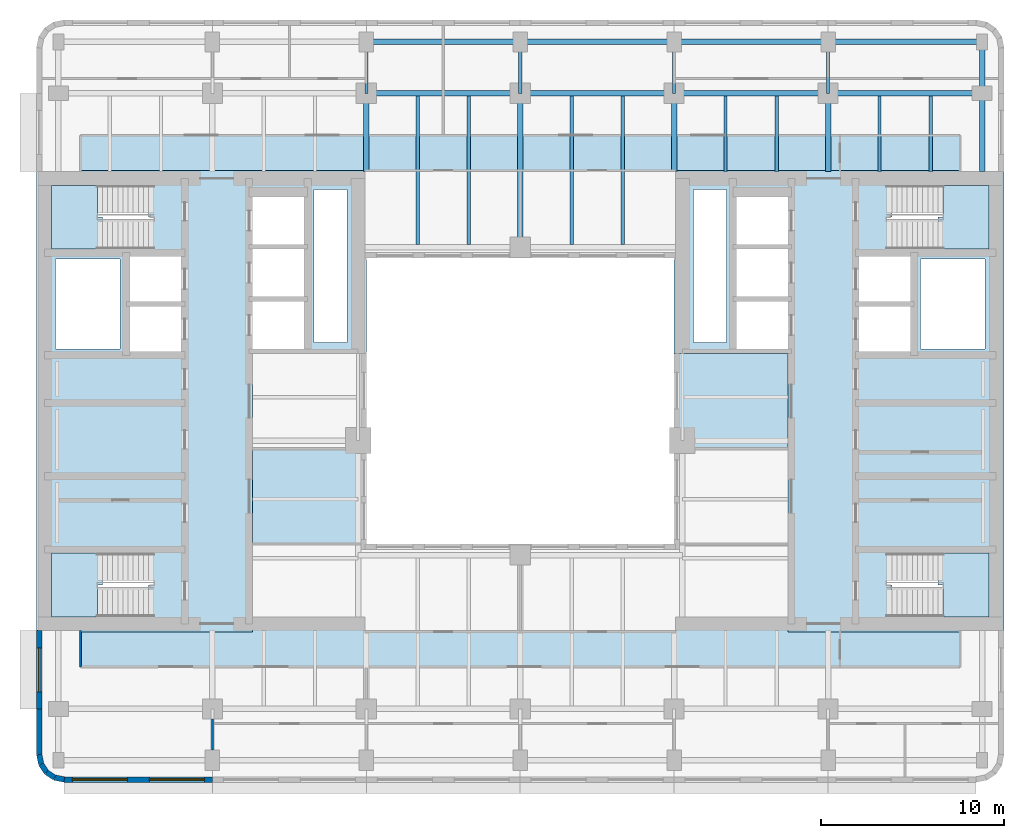
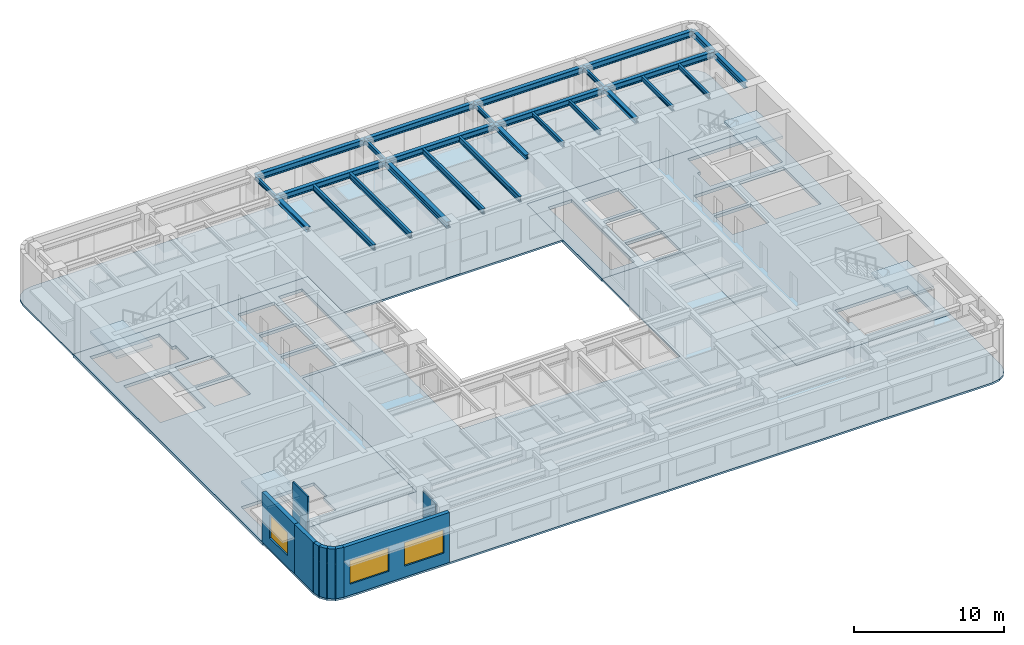
# One storey, part 2 of 11: 26 beams, 9 walls, 8 slabs, 3 windows, 3 openings, 4 elements without a shape of their own.
"""IFC4 building model written with IfcOpenShell, lengths in metres."""

from ifc_helpers import new_model, si_unit, direction, frame, frame_2d, origin, origin_2d, place, context, subcontext, project, spatial, polyline, rectangle, i_section, outline, extrude, material, layer, layer_set, material_profile, profile_set, type_object, element, fill, aggregate, save


model = new_model("IFC4")

# Units and contexts
model_context = context("Model", 3, precision=1e-05, world=origin(), true_north=direction((0.0, 1.0)))
body_context = subcontext(model_context, "Body", "Model", "MODEL_VIEW")
ifc_project = project(units=[si_unit("LENGTHUNIT", "METRE"), si_unit("AREAUNIT", "SQUARE_METRE"), si_unit("VOLUMEUNIT", "CUBIC_METRE"), si_unit("PLANEANGLEUNIT", "RADIAN"), si_unit("MASSUNIT", "GRAM", prefix="KILO")], contexts=[model_context])

# Site, building, storey
site_placement = place(None, origin())
site = spatial("IfcSite", under=ifc_project, at=site_placement, CompositionType="ELEMENT")
building_placement = place(site_placement, origin())
building = spatial("IfcBuilding", under=site, at=building_placement, Name="Claustro Exchange Tower", CompositionType="ELEMENT")
storey_placement = place(building_placement, frame((0.0, 0.0, 211.199951171875)))
storey = spatial("IfcBuildingStorey", under=building, at=storey_placement, Name="L48", CompositionType="ELEMENT", Elevation=211.199951171875)

# Beams
ifc_material_1 = material(Name="Steel S355", Category="steel")
ifc_material_profile_1 = material_profile(ifc_material_1, i_section(OverallWidth=0.169921875, OverallDepth=0.360107421875, WebThickness=0.008056640625, FlangeThickness=0.0126953125, FilletRadius=0.01806640625, at=origin_2d()), Name="IPE 360")
ifc_profile_set_1 = profile_set([ifc_material_profile_1], Name="Steel S355")
beam_type_1 = type_object("IfcBeamType", Name="B16 IPE 360 short-span beam", PredefinedType="BEAM", material=ifc_profile_set_1)
for number, where, z_axis, x_axis, name in (
    (1, (16.800048828125, 42.0, 3.8701171875), (0.0, 1.0, 0.0), (-1.0, 0.0, 0.0), "Beam B16 L49"),
    (2, (25.199951171875, 42.0, 3.8701171875), (0.0, 1.0, 0.0), (-1.0, 0.0, 0.0), "Beam B16 L49"),
    (3, (33.60009765625, 42.0, 3.8701171875), (0.0, 1.0, 0.0), (-1.0, 0.0, 0.0), "Beam B16 L49"),
    (4, (42.0, 42.0, 3.8701171875), (0.0, 1.0, 0.0), (-1.0, 0.0, 0.0), "Beam B16 L49"),
):
    element("IfcBeam", number, at=place(storey_placement, frame(where, z_axis=z_axis, x_axis=x_axis)), inside=storey, type_object=beam_type_1, Name=name, PredefinedType="BEAM", context=body_context, shape_type="SweptSolid", body=[
        extrude(i_section(OverallWidth=0.169921875, OverallDepth=0.360107421875, WebThickness=0.008056640625, FlangeThickness=0.0126953125, FilletRadius=0.01806640625, at=origin_2d()), origin(), (0.0, 0.0, 1.0), 2.800048828125),
    ])
for number, where, z_axis, x_axis, name in (
    (5, (36.39990234375, 37.72509765625, 3.8701171875), (0.0, 1.0, 0.0), (-1.0, 0.0, 0.0), "Beam B16 L49"),
    (6, (39.199951171875, 37.72509765625, 3.8701171875), (0.0, 1.0, 0.0), (-1.0, 0.0, 0.0), "Beam B16 L49"),
    (7, (44.800048828125, 37.72509765625, 3.8701171875), (0.0, 1.0, 0.0), (-1.0, 0.0, 0.0), "Beam B16 L49"),
    (8, (47.60009765625, 37.72509765625, 3.8701171875), (0.0, 1.0, 0.0), (-1.0, 0.0, 0.0), "Beam B16 L49"),
):
    element("IfcBeam", number, at=place(storey_placement, frame(where, z_axis=z_axis, x_axis=x_axis)), inside=storey, type_object=beam_type_1, Name=name, PredefinedType="BEAM", context=body_context, shape_type="SweptSolid", body=[
        extrude(i_section(OverallWidth=0.169921875, OverallDepth=0.360107421875, WebThickness=0.008056640625, FlangeThickness=0.0126953125, FilletRadius=0.01806640625, at=origin_2d()), origin(), (0.0, 0.0, 1.0), 4.125),
    ])
ifc_material_2 = material(Name="Steel S355", Category="steel")
ifc_material_profile_2 = material_profile(ifc_material_2, i_section(OverallWidth=0.300048828125, OverallDepth=0.360107421875, WebThickness=0.012451171875, FlangeThickness=0.0224609375, FilletRadius=0.027099609375, at=origin_2d()), Name="HE 360 B")
ifc_profile_set_2 = profile_set([ifc_material_profile_2], Name="Steel S355")
beam_type_2 = type_object("IfcBeamType", Name="B29 HE 360 B column to core link beam", PredefinedType="BEAM", material=ifc_profile_set_2)
for number, where, z_axis, x_axis, name in (
    (9, (16.800048828125, 37.72509765625, 3.8701171875), (0.0, 1.0, 0.0), (-1.0, 0.0, 0.0), "Beam B29 L49"),
    (10, (33.60009765625, 37.72509765625, 3.8701171875), (0.0, 1.0, 0.0), (-1.0, 0.0, 0.0), "Beam B29 L49"),
    (11, (42.0, 37.72509765625, 3.8701171875), (0.0, 1.0, 0.0), (-1.0, 0.0, 0.0), "Beam B29 L49"),
):
    element("IfcBeam", number, at=place(storey_placement, frame(where, z_axis=z_axis, x_axis=x_axis)), inside=storey, type_object=beam_type_2, Name=name, PredefinedType="BEAM", context=body_context, shape_type="SweptSolid", body=[
        extrude(i_section(OverallWidth=0.300048828125, OverallDepth=0.360107421875, WebThickness=0.012451171875, FlangeThickness=0.0224609375, FilletRadius=0.027099609375, at=origin_2d()), origin(), (0.0, 0.0, 1.0), 4.27490234375),
    ])
ifc_material_3 = material(Name="Steel S355", Category="steel")
ifc_material_profile_3 = material_profile(ifc_material_3, i_section(OverallWidth=0.300048828125, OverallDepth=0.5, WebThickness=0.014404296875, FlangeThickness=0.028076171875, FilletRadius=0.027099609375, at=origin_2d()), Name="HE 500 B")
ifc_profile_set_3 = profile_set([ifc_material_profile_3], Name="Steel S355")
beam_type_3 = type_object("IfcBeamType", Name="B7 HE 500 B floor girder", PredefinedType="BEAM", material=ifc_profile_set_3)
for number, where, z_axis, x_axis, name in (
    (12, (25.199951171875, 33.60009765625, 3.800048828125), (0.0, 1.0, 0.0), (-1.0, 0.0, 0.0), "Beam B7 L49"),
    (13, (16.800048828125, 42.0, 3.800048828125), (1.0, 0.0, 0.0), (0.0, 1.0, 0.0), "Beam B7 L49"),
):
    element("IfcBeam", number, at=place(storey_placement, frame(where, z_axis=z_axis, x_axis=x_axis)), inside=storey, type_object=beam_type_3, Name=name, PredefinedType="BEAM", context=body_context, shape_type="SweptSolid", body=[
        extrude(i_section(OverallWidth=0.300048828125, OverallDepth=0.5, WebThickness=0.014404296875, FlangeThickness=0.028076171875, FilletRadius=0.027099609375, at=origin_2d()), origin(), (0.0, 0.0, 1.0), 8.39990234375),
    ])
beam_1_placement = place(storey_placement, frame((25.199951171875, 42.0, 3.800048828125), z_axis=(1.0, 0.0, 0.0), x_axis=(0.0, 1.0, 0.0)))
element("IfcBeam", 14, at=beam_1_placement, inside=storey, type_object=beam_type_3, Name="Beam B7 L49", PredefinedType="BEAM", context=body_context, shape_type="SweptSolid", body=[
    extrude(i_section(OverallWidth=0.300048828125, OverallDepth=0.5, WebThickness=0.014404296875, FlangeThickness=0.028076171875, FilletRadius=0.027099609375, at=origin_2d()), origin(), (0.0, 0.0, 1.0), 8.400146484375),
])
for number, where, z_axis, x_axis, name in (
    (15, (33.60009765625, 42.0, 3.800048828125), (1.0, 0.0, 0.0), (0.0, 1.0, 0.0), "Beam B7 L49"),
    (16, (42.0, 42.0, 3.800048828125), (1.0, 0.0, 0.0), (0.0, 1.0, 0.0), "Beam B7 L49"),
):
    element("IfcBeam", number, at=place(storey_placement, frame(where, z_axis=z_axis, x_axis=x_axis)), inside=storey, type_object=beam_type_3, Name=name, PredefinedType="BEAM", context=body_context, shape_type="SweptSolid", body=[
        extrude(i_section(OverallWidth=0.300048828125, OverallDepth=0.5, WebThickness=0.014404296875, FlangeThickness=0.028076171875, FilletRadius=0.027099609375, at=origin_2d()), origin(), (0.0, 0.0, 1.0), 8.39990234375),
    ])
ifc_material_4 = material(Name="Steel S355", Category="steel")
ifc_material_profile_4 = material_profile(ifc_material_4, i_section(OverallWidth=0.18994140625, OverallDepth=0.449951171875, WebThickness=0.009521484375, FlangeThickness=0.0146484375, FilletRadius=0.02099609375, at=origin_2d()), Name="IPE 450")
ifc_profile_set_4 = profile_set([ifc_material_profile_4], Name="Steel S355")
beam_type_4 = type_object("IfcBeamType", Name="B8 IPE 450 secondary beam", PredefinedType="BEAM", material=ifc_profile_set_4)
for number, where, z_axis, x_axis, name in (
    (17, (19.60009765625, 33.75, 3.824951171875), (0.0, 1.0, 0.0), (-1.0, 0.0, 0.0), "Beam B8 L49"),
    (18, (22.39990234375, 33.75, 3.824951171875), (0.0, 1.0, 0.0), (-1.0, 0.0, 0.0), "Beam B8 L49"),
    (19, (28.0, 33.75, 3.824951171875), (0.0, 1.0, 0.0), (-1.0, 0.0, 0.0), "Beam B8 L49"),
    (20, (30.800048828125, 33.75, 3.824951171875), (0.0, 1.0, 0.0), (-1.0, 0.0, 0.0), "Beam B8 L49"),
):
    element("IfcBeam", number, at=place(storey_placement, frame(where, z_axis=z_axis, x_axis=x_axis)), inside=storey, type_object=beam_type_4, Name=name, PredefinedType="BEAM", context=body_context, shape_type="SweptSolid", body=[
        extrude(i_section(OverallWidth=0.18994140625, OverallDepth=0.449951171875, WebThickness=0.009521484375, FlangeThickness=0.0146484375, FilletRadius=0.02099609375, at=origin_2d()), origin(), (0.0, 0.0, 1.0), 8.10009765625),
    ])
ifc_material_5 = material(Name="Steel S355", Category="steel")
ifc_material_profile_5 = material_profile(ifc_material_5, i_section(OverallWidth=0.300048828125, OverallDepth=0.489990234375, WebThickness=0.011962890625, FlangeThickness=0.02294921875, FilletRadius=0.027099609375, at=origin_2d()), Name="HE 500 A")
ifc_profile_set_5 = profile_set([ifc_material_profile_5], Name="Steel S355")
beam_type_5 = type_object("IfcBeamType", Name="B9 HE 500 A spandrel edge girder", PredefinedType="SPANDREL", material=ifc_profile_set_5)
beam_2_placement = place(storey_placement, frame((50.39990234375, 37.72509765625, 3.804931640625), z_axis=(0.0, 1.0, 0.0), x_axis=(-1.0, 0.0, 0.0)))
element("IfcBeam", 21, at=beam_2_placement, inside=storey, type_object=beam_type_5, Name="Beam B9 L49", PredefinedType="SPANDREL", context=body_context, shape_type="SweptSolid", body=[
    extrude(i_section(OverallWidth=0.300048828125, OverallDepth=0.489990234375, WebThickness=0.011962890625, FlangeThickness=0.02294921875, FilletRadius=0.027099609375, at=origin_2d()), origin(), (0.0, 0.0, 1.0), 4.27490234375),
])
beam_3_placement = place(storey_placement, frame((50.39990234375, 42.0, 3.804931640625), z_axis=(0.0, 1.0, 0.0), x_axis=(-1.0, 0.0, 0.0)))
element("IfcBeam", 22, at=beam_3_placement, inside=storey, type_object=beam_type_5, Name="Beam B9 L49", PredefinedType="SPANDREL", context=body_context, shape_type="SweptSolid", body=[
    extrude(i_section(OverallWidth=0.300048828125, OverallDepth=0.489990234375, WebThickness=0.011962890625, FlangeThickness=0.02294921875, FilletRadius=0.027099609375, at=origin_2d()), origin(), (0.0, 0.0, 1.0), 2.800048828125),
])
beam_4_placement = place(storey_placement, frame((16.800048828125, 44.800048828125, 3.804931640625), z_axis=(1.0, 0.0, 0.0), x_axis=(0.0, 1.0, 0.0)))
element("IfcBeam", 23, at=beam_4_placement, inside=storey, type_object=beam_type_5, Name="Beam B9 L49", PredefinedType="SPANDREL", context=body_context, shape_type="SweptSolid", body=[
    extrude(i_section(OverallWidth=0.300048828125, OverallDepth=0.489990234375, WebThickness=0.011962890625, FlangeThickness=0.02294921875, FilletRadius=0.027099609375, at=origin_2d()), origin(), (0.0, 0.0, 1.0), 8.39990234375),
])
beam_5_placement = place(storey_placement, frame((25.199951171875, 44.800048828125, 3.804931640625), z_axis=(1.0, 0.0, 0.0), x_axis=(0.0, 1.0, 0.0)))
element("IfcBeam", 24, at=beam_5_placement, inside=storey, type_object=beam_type_5, Name="Beam B9 L49", PredefinedType="SPANDREL", context=body_context, shape_type="SweptSolid", body=[
    extrude(i_section(OverallWidth=0.300048828125, OverallDepth=0.489990234375, WebThickness=0.011962890625, FlangeThickness=0.02294921875, FilletRadius=0.027099609375, at=origin_2d()), origin(), (0.0, 0.0, 1.0), 8.400146484375),
])
for number, where, z_axis, x_axis, name in (
    (25, (33.60009765625, 44.800048828125, 3.804931640625), (1.0, 0.0, 0.0), (0.0, 1.0, 0.0), "Beam B9 L49"),
    (26, (42.0, 44.800048828125, 3.804931640625), (1.0, 0.0, 0.0), (0.0, 1.0, 0.0), "Beam B9 L49"),
):
    element("IfcBeam", number, at=place(storey_placement, frame(where, z_axis=z_axis, x_axis=x_axis)), inside=storey, type_object=beam_type_5, Name=name, PredefinedType="SPANDREL", context=body_context, shape_type="SweptSolid", body=[
        extrude(i_section(OverallWidth=0.300048828125, OverallDepth=0.489990234375, WebThickness=0.011962890625, FlangeThickness=0.02294921875, FilletRadius=0.027099609375, at=origin_2d()), origin(), (0.0, 0.0, 1.0), 8.39990234375),
    ])

# Slabs
ifc_material_6 = material(Name="Concrete HA-50 (C50/60)", Category="concrete")
ifc_layer_1 = layer(ifc_material_6, 0.14990234375)
ifc_layer_set_1 = layer_set([ifc_layer_1], Name="Concrete HA-50 (C50/60)")
slab_type_1 = type_object("IfcSlabType", Name="S2 150 composite floor slab", PredefinedType="FLOOR", material=ifc_layer_set_1)
slab_1_placement = place(storey_placement, frame((0.0, 0.0, -0.14990234375)))
element("IfcSlab", 27, at=slab_1_placement, inside=storey, type_object=slab_type_1, Name="Floor slab S2 S L48", PredefinedType="FLOOR", context=body_context, shape_type="SweptSolid", body=[
    extrude(outline(polyline([(-0.27392578125, 4.51416015625), (0.300048828125, 4.39990234375), (50.10009765625, 4.39990234375), (50.674072265625, 4.51416015625), (51.16064453125, 4.83935546875), (51.48583984375, 5.325927734375), (51.60009765625, 5.89990234375), (51.60009765625, 12.60009765625), (39.800048828125, 12.60009765625), (39.800048828125, 27.800048828125), (33.60009765625, 27.800048828125), (33.60009765625, 17.39990234375), (16.800048828125, 17.39990234375), (16.800048828125, 27.800048828125), (10.60009765625, 27.800048828125), (10.60009765625, 12.60009765625), (-1.199951171875, 12.60009765625), (-1.199951171875, 5.89990234375), (-1.085693359375, 5.325927734375), (-0.7607421875, 4.83935546875), (-0.27392578125, 4.51416015625)])), origin(), (0.0, 0.0, 1.0), 0.14990234375),
])
slab_2_placement = place(storey_placement, frame((0.0, 0.0, -0.14990234375)))
element("IfcSlab", 28, at=slab_2_placement, inside=storey, type_object=slab_type_1, Name="Floor slab S2 N L48", PredefinedType="FLOOR", context=body_context, shape_type="SweptSolid", body=[
    extrude(outline(polyline([(16.800048828125, 37.800048828125), (16.800048828125, 33.0), (33.60009765625, 33.0), (33.60009765625, 37.800048828125), (51.60009765625, 37.800048828125), (51.60009765625, 44.5), (51.48583984375, 45.073974609375), (51.16064453125, 45.560791015625), (50.674072265625, 45.8857421875), (50.10009765625, 46.0), (0.300048828125, 46.0), (-0.27392578125, 45.8857421875), (-0.7607421875, 45.560791015625), (-1.085693359375, 45.073974609375), (-1.199951171875, 44.5), (-1.199951171875, 37.800048828125), (16.800048828125, 37.800048828125)])), origin(), (0.0, 0.0, 1.0), 0.14990234375),
])
ifc_material_7 = material(Name="Concrete HA-50 (C50/60)", Category="concrete")
ifc_layer_2 = layer(ifc_material_7, 0.25)
ifc_layer_set_2 = layer_set([ifc_layer_2], Name="Concrete HA-50 (C50/60)")
slab_type_2 = type_object("IfcSlabType", Name="S7 250 core floor slab", PredefinedType="FLOOR", material=ifc_layer_set_2)
slab_3_placement = place(storey_placement, frame((0.0, 0.0, -0.25)))
element("IfcSlab", 29, at=slab_3_placement, inside=storey, type_object=slab_type_2, Name="Core floor slab S7 W core L48", PredefinedType="FLOOR", context=body_context, shape_type="SweptSolid", body=[
    extrude(outline(polyline([(-1.199951171875, 37.800048828125), (-1.199951171875, 12.60009765625), (10.60009765625, 12.60009765625), (10.60009765625, 27.800048828125), (16.800048828125, 27.800048828125), (16.800048828125, 37.800048828125), (-1.199951171875, 37.800048828125)]), holes=[polyline([(13.949951171875, 36.75), (15.75, 36.75), (15.75, 28.39990234375), (13.949951171875, 28.39990234375), (13.949951171875, 36.75)]), polyline([(10.60009765625, 30.64990234375), (13.39990234375, 30.64990234375), (13.39990234375, 28.050048828125), (10.60009765625, 28.050048828125), (10.60009765625, 30.64990234375)]), polyline([(10.60009765625, 33.5), (13.39990234375, 33.5), (13.39990234375, 30.89990234375), (10.60009765625, 30.89990234375), (10.60009765625, 33.5)]), polyline([(13.39990234375, 36.35009765625), (13.39990234375, 33.75), (10.60009765625, 33.75), (10.60009765625, 36.35009765625), (13.39990234375, 36.35009765625)]), polyline([(3.89990234375, 30.375), (6.699951171875, 30.375), (6.699951171875, 27.89990234375), (3.89990234375, 27.89990234375), (3.89990234375, 30.375)]), polyline([(3.89990234375, 33.10009765625), (6.699951171875, 33.10009765625), (6.699951171875, 30.625), (3.89990234375, 30.625), (3.89990234375, 33.10009765625)]), polyline([(-0.375, 15.16259765625), (-0.375, 16.89990234375), (5.195068359375, 16.89990234375), (5.195068359375, 15.16259765625), (4.919921875, 15.16259765625), (4.919921875, 13.425048828125), (-0.375, 13.425048828125), (-0.375, 15.16259765625)]), polyline([(-0.375, 35.237548828125), (-0.375, 36.97509765625), (4.919921875, 36.97509765625), (4.919921875, 35.237548828125), (5.195068359375, 35.237548828125), (5.195068359375, 33.5), (-0.375, 33.5), (-0.375, 35.237548828125)]), polyline([(-0.14990234375, 32.949951171875), (3.35009765625, 32.949951171875), (3.35009765625, 28.050048828125), (-0.14990234375, 28.050048828125), (-0.14990234375, 32.949951171875)])]), origin(), (0.0, 0.0, 1.0), 0.25),
])
slab_4_placement = place(storey_placement, frame((0.0, 0.0, -0.25)))
element("IfcSlab", 30, at=slab_4_placement, inside=storey, type_object=slab_type_2, Name="Core floor slab S7 E core L48", PredefinedType="FLOOR", context=body_context, shape_type="SweptSolid", body=[
    extrude(outline(polyline([(51.60009765625, 37.800048828125), (33.60009765625, 37.800048828125), (33.60009765625, 27.800048828125), (39.800048828125, 27.800048828125), (39.800048828125, 12.60009765625), (51.60009765625, 12.60009765625), (51.60009765625, 37.800048828125)]), holes=[polyline([(45.47998046875, 15.16259765625), (45.205078125, 15.16259765625), (45.205078125, 16.89990234375), (50.77490234375, 16.89990234375), (50.77490234375, 15.16259765625), (50.77490234375, 13.425048828125), (45.47998046875, 13.425048828125), (45.47998046875, 15.16259765625)]), polyline([(45.47998046875, 35.237548828125), (45.47998046875, 36.97509765625), (50.77490234375, 36.97509765625), (50.77490234375, 35.237548828125), (50.77490234375, 33.5), (45.205078125, 33.5), (45.205078125, 35.237548828125), (45.47998046875, 35.237548828125)]), polyline([(47.050048828125, 32.949951171875), (50.550048828125, 32.949951171875), (50.550048828125, 28.050048828125), (47.050048828125, 28.050048828125), (47.050048828125, 32.949951171875)]), polyline([(43.699951171875, 30.375), (46.5, 30.375), (46.5, 27.89990234375), (43.699951171875, 27.89990234375), (43.699951171875, 30.375)]), polyline([(43.699951171875, 33.10009765625), (46.5, 33.10009765625), (46.5, 30.625), (43.699951171875, 30.625), (43.699951171875, 33.10009765625)]), polyline([(37.0, 30.64990234375), (39.800048828125, 30.64990234375), (39.800048828125, 28.050048828125), (37.0, 28.050048828125), (37.0, 30.64990234375)]), polyline([(37.0, 33.5), (39.800048828125, 33.5), (39.800048828125, 30.89990234375), (37.0, 30.89990234375), (37.0, 33.5)]), polyline([(39.800048828125, 36.35009765625), (39.800048828125, 33.75), (37.0, 33.75), (37.0, 36.35009765625), (39.800048828125, 36.35009765625)]), polyline([(34.64990234375, 36.75), (36.449951171875, 36.75), (36.449951171875, 28.39990234375), (34.64990234375, 28.39990234375), (34.64990234375, 36.75)])]), origin(), (0.0, 0.0, 1.0), 0.25),
])

# Stair, slab
ifc_material_8 = material(Name="Concrete HA-30 (C30/37), precast", Category="concrete")
stair_type = type_object("IfcStairType", Name="ST1 half-turn stair, 24 risers of 175", PredefinedType="HALF_TURN_STAIR", material=ifc_material_8)
stair_1_placement = place(storey_placement, origin())
stair_1 = element("IfcStair", 31, at=stair_1_placement, inside=storey, type_object=stair_type, Name="Stair STWA L48", PredefinedType="HALF_TURN_STAIR")
ifc_material_9 = material(Name="Concrete HA-30 (C30/37), precast", Category="concrete")
ifc_layer_3 = layer(ifc_material_9, 0.199951171875)
ifc_layer_set_3 = layer_set([ifc_layer_3], Name="Concrete HA-30 (C30/37), precast")
slab_type_3 = type_object("IfcSlabType", Name="S9 200 stair landing", PredefinedType="LANDING", material=ifc_layer_set_3)
slab_5_placement = place(storey_placement, frame((0.0, 0.0, 1.900146484375)))
slab_5 = element("IfcSlab", 32, at=slab_5_placement, type_object=slab_type_3, Name="STWA landing 1", PredefinedType="LANDING", context=body_context, shape_type="SweptSolid", body=[
    extrude(outline(polyline([(2.125, 13.425048828125), (-0.375, 13.425048828125), (-0.375, 16.89990234375), (2.1201171875, 16.89990234375), (2.125, 16.89990234375), (2.39990234375, 16.89990234375), (2.39990234375, 15.16259765625), (2.125, 15.16259765625), (2.125, 13.425048828125)])), origin(), (0.0, 0.0, 1.0), 0.199951171875),
])
aggregate(stair_1, [slab_5])

stair_2_placement = place(storey_placement, origin())
stair_2 = element("IfcStair", 33, at=stair_2_placement, inside=storey, type_object=stair_type, Name="Stair STWB L48", PredefinedType="HALF_TURN_STAIR")
slab_6_placement = place(storey_placement, frame((0.0, 0.0, 1.900146484375)))
slab_6 = element("IfcSlab", 34, at=slab_6_placement, type_object=slab_type_3, Name="STWB landing 1", PredefinedType="LANDING", context=body_context, shape_type="SweptSolid", body=[
    extrude(outline(polyline([(2.39990234375, 35.237548828125), (2.39990234375, 33.5), (2.125, 33.5), (2.1201171875, 33.5), (-0.375, 33.5), (-0.375, 36.97509765625), (2.125, 36.97509765625), (2.125, 35.237548828125), (2.39990234375, 35.237548828125)])), origin(), (0.0, 0.0, 1.0), 0.199951171875),
])
aggregate(stair_2, [slab_6])

stair_3_placement = place(storey_placement, origin())
stair_3 = element("IfcStair", 35, at=stair_3_placement, inside=storey, type_object=stair_type, Name="Stair STEA L48", PredefinedType="HALF_TURN_STAIR")
slab_7_placement = place(storey_placement, frame((0.0, 0.0, 1.900146484375)))
slab_7 = element("IfcSlab", 36, at=slab_7_placement, type_object=slab_type_3, Name="STEA landing 1", PredefinedType="LANDING", context=body_context, shape_type="SweptSolid", body=[
    extrude(outline(polyline([(50.77490234375, 16.89990234375), (50.77490234375, 13.425048828125), (48.27490234375, 13.425048828125), (48.27490234375, 15.16259765625), (48.0, 15.16259765625), (48.0, 16.89990234375), (48.27490234375, 16.89990234375), (48.280029296875, 16.89990234375), (50.77490234375, 16.89990234375)])), origin(), (0.0, 0.0, 1.0), 0.199951171875),
])
aggregate(stair_3, [slab_7])

stair_4_placement = place(storey_placement, origin())
stair_4 = element("IfcStair", 37, at=stair_4_placement, inside=storey, type_object=stair_type, Name="Stair STEB L48", PredefinedType="HALF_TURN_STAIR")
slab_8_placement = place(storey_placement, frame((0.0, 0.0, 1.900146484375)))
slab_8 = element("IfcSlab", 38, at=slab_8_placement, type_object=slab_type_3, Name="STEB landing 1", PredefinedType="LANDING", context=body_context, shape_type="SweptSolid", body=[
    extrude(outline(polyline([(48.0, 33.5), (48.0, 35.237548828125), (48.27490234375, 35.237548828125), (48.27490234375, 36.97509765625), (50.77490234375, 36.97509765625), (50.77490234375, 33.5), (48.280029296875, 33.5), (48.27490234375, 33.5), (48.0, 33.5)])), origin(), (0.0, 0.0, 1.0), 0.199951171875),
])
aggregate(stair_4, [slab_8])

# Walls
ifc_material_10 = material(Name="Laminated glass in aluminium frame", Category="aluminium")
ifc_layer_4 = layer(ifc_material_10, 0.1201171875)
ifc_layer_set_4 = layer_set([ifc_layer_4], Name="Laminated glass in aluminium frame")
wall_type_1 = type_object("IfcWallType", Name="P2 120 glazed partition", PredefinedType="PARTITIONING", material=ifc_layer_set_4)
wall_1_placement = place(storey_placement, frame((8.39990234375, 6.14892578125, 0.0), z_axis=(0.0, 0.0, 1.0), x_axis=(0.0, 1.0, 0.0)))
element("IfcWall", 39, at=wall_1_placement, inside=storey, type_object=wall_type_1, Name="Partition P2 L48", PredefinedType="PARTITIONING", context=body_context, shape_type="SweptSolid", body=[
    extrude(rectangle(XDim=1.703125, YDim=0.1201171875, at=frame_2d((0.8515625, 0.0))), origin(), (0.0, 0.0, 1.0), 3.68994140625),
])
wall_2_placement = place(storey_placement, frame((1.199951171875, 10.699951171875, 0.0), z_axis=(0.0, 0.0, 1.0), x_axis=(0.0, 1.0, 0.0)))
element("IfcWall", 40, at=wall_2_placement, inside=storey, type_object=wall_type_1, Name="Partition P2 L48", PredefinedType="PARTITIONING", context=body_context, shape_type="SweptSolid", body=[
    extrude(rectangle(XDim=1.97607421875, YDim=0.1201171875, at=frame_2d((0.988037109375, 0.0))), origin(), (0.0, 0.0, 1.0), 4.050048828125),
])

# Wall, openings, windows
ifc_material_11 = material(Name="Concrete HA-40 (C40/50), precast, white cement, acid-etched", Category="concrete")
ifc_layer_5 = layer(ifc_material_11, 0.300048828125)
ifc_layer_set_5 = layer_set([ifc_layer_5], Name="Concrete HA-40 (C40/50), precast, white cement, acid-etched")
wall_type_2 = type_object("IfcWallType", Name="PC1 300 precast concrete pier panel", PredefinedType="SOLIDWALL", material=ifc_layer_set_5)
wall_3_placement = place(storey_placement, frame((8.39990234375, 4.550048828125, 0.0), z_axis=(0.0, 0.0, 1.0), x_axis=(-1.0, 0.0, 0.0)))
wall_3 = element("IfcWall", 41, at=wall_3_placement, inside=storey, type_object=wall_type_2, Name="Precast pier panel PC1 L48", PredefinedType="SOLIDWALL", context=body_context, shape_type="SweptSolid", body=[
    extrude(rectangle(XDim=8.085205078125, YDim=0.300048828125, at=frame_2d((4.04248046875, 0.0))), origin(), (0.0, 0.0, 1.0), 4.050048828125),
])
opening_1_placement = place(wall_3_placement, frame((0.442626953125, 0.0, 0.89990234375)))
opening_1 = element("IfcOpeningElement", 42, at=opening_1_placement, cuts=wall_3, Name="Opening W1", PredefinedType="OPENING", context=body_context, shape_type="SweptSolid", body=[
    extrude(rectangle(XDim=3.0, YDim=1.89990234375, at=frame_2d((1.5, 0.949951171875))), frame((0.0, 0.159912109375, 0.0), z_axis=(0.0, -1.0, 0.0), x_axis=(1.0, 0.0, 0.0)), (0.0, 0.0, 1.0), 0.320068359375),
])
opening_2_placement = place(wall_3_placement, frame((4.642578125, 0.0, 0.89990234375)))
opening_2 = element("IfcOpeningElement", 43, at=opening_2_placement, cuts=wall_3, Name="Opening W1", PredefinedType="OPENING", context=body_context, shape_type="SweptSolid", body=[
    extrude(rectangle(XDim=3.0, YDim=1.89990234375, at=frame_2d((1.5, 0.949951171875))), frame((0.0, 0.159912109375, 0.0), z_axis=(0.0, -1.0, 0.0), x_axis=(1.0, 0.0, 0.0)), (0.0, 0.0, 1.0), 0.320068359375),
])
ifc_material_12 = material(Name="Aluminium frame, clear double glazing", Category="aluminium")
window_type_1 = type_object("IfcWindowType", Name="W1 3000 x 1900 window", PartitioningType="SINGLE_PANEL", PredefinedType="WINDOW", material=ifc_material_12)
window_1_placement = place(opening_1_placement, origin())
window_1 = element("IfcWindow", 44, at=window_1_placement, inside=storey, type_object=window_type_1, Name="Window W1 L48", OverallHeight=1.89990234375, OverallWidth=3.0, PartitioningType="SINGLE_PANEL", PredefinedType="WINDOW", context=body_context, shape_type="SweptSolid", body=[
    extrude(rectangle(XDim=3.0, YDim=1.89990234375, at=frame_2d((1.5, 0.949951171875))), frame((0.0, 0.030029296875, 0.0), z_axis=(0.0, -1.0, 0.0), x_axis=(1.0, 0.0, 0.0)), (0.0, 0.0, 1.0), 0.06005859375),
])
fill(opening_1, window_1)
window_2_placement = place(opening_2_placement, origin())
window_2 = element("IfcWindow", 45, at=window_2_placement, inside=storey, type_object=window_type_1, Name="Window W1 L48", OverallHeight=1.89990234375, OverallWidth=3.0, PartitioningType="SINGLE_PANEL", PredefinedType="WINDOW", context=body_context, shape_type="SweptSolid", body=[
    extrude(rectangle(XDim=3.0, YDim=1.89990234375, at=frame_2d((1.5, 0.949951171875))), frame((0.0, 0.030029296875, 0.0), z_axis=(0.0, -1.0, 0.0), x_axis=(1.0, 0.0, 0.0)), (0.0, 0.0, 1.0), 0.06005859375),
])
fill(opening_2, window_2)

# Walls
wall_4_placement = place(storey_placement, frame((0.314697265625, 4.550048828125, 0.0), z_axis=(0.0, 0.0, 1.0), x_axis=(-0.980788534345, 0.195073962632, 0.0)))
element("IfcWall", 46, at=wall_4_placement, inside=storey, type_object=wall_type_2, Name="Precast pier panel PC1 L48", PredefinedType="SOLIDWALL", context=body_context, shape_type="SweptSolid", body=[
    extrude(rectangle(XDim=0.540771484375, YDim=0.300048828125, at=frame_2d((0.2705078125, 0.0))), origin(), (0.0, 0.0, 1.0), 4.050048828125),
])
for number, where, z_axis, x_axis, name in (
    (47, (-0.215576171875, 4.655517578125, 0.0), (0.0, 0.0, 1.0), (-0.831478144188, 0.555557463938, 0.0), "Precast pier panel PC1 L48"),
    (48, (-0.652587890625, 4.947509765625, 0.0), (0.0, 0.0, 1.0), (-0.555557463938, 0.831478144188, 0.0), "Precast pier panel PC1 L48"),
):
    element("IfcWall", number, at=place(storey_placement, frame(where, z_axis=z_axis, x_axis=x_axis)), inside=storey, type_object=wall_type_2, Name=name, PredefinedType="SOLIDWALL", context=body_context, shape_type="SweptSolid", body=[
        extrude(rectangle(XDim=0.525634765625, YDim=0.300048828125, at=frame_2d((0.2626953125, 0.0))), origin(), (0.0, 0.0, 1.0), 4.050048828125),
    ])
wall_5_placement = place(storey_placement, frame((-0.944580078125, 5.384521484375, 0.0), z_axis=(0.0, 0.0, 1.0), x_axis=(-0.195073962632, 0.980788534345, 0.0)))
element("IfcWall", 49, at=wall_5_placement, inside=storey, type_object=wall_type_2, Name="Precast pier panel PC1 L48", PredefinedType="SOLIDWALL", context=body_context, shape_type="SweptSolid", body=[
    extrude(rectangle(XDim=0.540771484375, YDim=0.300048828125, at=frame_2d((0.2705078125, 0.0))), origin(), (0.0, 0.0, 1.0), 4.050048828125),
])
wall_6_placement = place(storey_placement, frame((-1.050048828125, 5.914794921875, 0.0), z_axis=(0.0, 0.0, 1.0), x_axis=(0.0, 1.0, 0.0)))
element("IfcWall", 50, at=wall_6_placement, inside=storey, type_object=wall_type_2, Name="Precast pier panel PC1 L48", PredefinedType="SOLIDWALL", context=body_context, shape_type="SweptSolid", body=[
    extrude(rectangle(XDim=2.485107421875, YDim=0.300048828125, at=frame_2d((1.24267578125, 0.0))), origin(), (0.0, 0.0, 1.0), 4.050048828125),
])

# Wall, opening, window
wall_7_placement = place(storey_placement, frame((-1.050048828125, 8.39990234375, 0.0), z_axis=(0.0, 0.0, 1.0), x_axis=(0.0, 1.0, 0.0)))
wall_7 = element("IfcWall", 51, at=wall_7_placement, inside=storey, type_object=wall_type_2, Name="Precast pier panel PC1 L48", PredefinedType="SOLIDWALL", context=body_context, shape_type="SweptSolid", body=[
    extrude(rectangle(XDim=4.275146484375, YDim=0.300048828125, at=frame_2d((2.1376953125, 0.0))), origin(), (0.0, 0.0, 1.0), 4.050048828125),
])
opening_3_placement = place(wall_7_placement, frame((0.9375, 0.0, 0.89990234375)))
opening_3 = element("IfcOpeningElement", 52, at=opening_3_placement, cuts=wall_7, Name="Opening W2", PredefinedType="OPENING", context=body_context, shape_type="SweptSolid", body=[
    extrude(rectangle(XDim=2.39990234375, YDim=1.89990234375, at=frame_2d((1.199951171875, 0.949951171875))), frame((0.0, 0.159912109375, 0.0), z_axis=(0.0, -1.0, 0.0), x_axis=(1.0, 0.0, 0.0)), (0.0, 0.0, 1.0), 0.320068359375),
])
ifc_material_13 = material(Name="Aluminium frame, clear double glazing", Category="aluminium")
window_type_2 = type_object("IfcWindowType", Name="W2 2400 x 1900 window", PartitioningType="SINGLE_PANEL", PredefinedType="WINDOW", material=ifc_material_13)
window_3_placement = place(opening_3_placement, origin())
window_3 = element("IfcWindow", 53, at=window_3_placement, inside=storey, type_object=window_type_2, Name="Window W2 L48", OverallHeight=1.89990234375, OverallWidth=2.39990234375, PartitioningType="SINGLE_PANEL", PredefinedType="WINDOW", context=body_context, shape_type="SweptSolid", body=[
    extrude(rectangle(XDim=2.39990234375, YDim=1.89990234375, at=frame_2d((1.199951171875, 0.949951171875))), frame((0.0, 0.030029296875, 0.0), z_axis=(0.0, -1.0, 0.0), x_axis=(1.0, 0.0, 0.0)), (0.0, 0.0, 1.0), 0.06005859375),
])
fill(opening_3, window_3)

save(model, "model.ifc")
